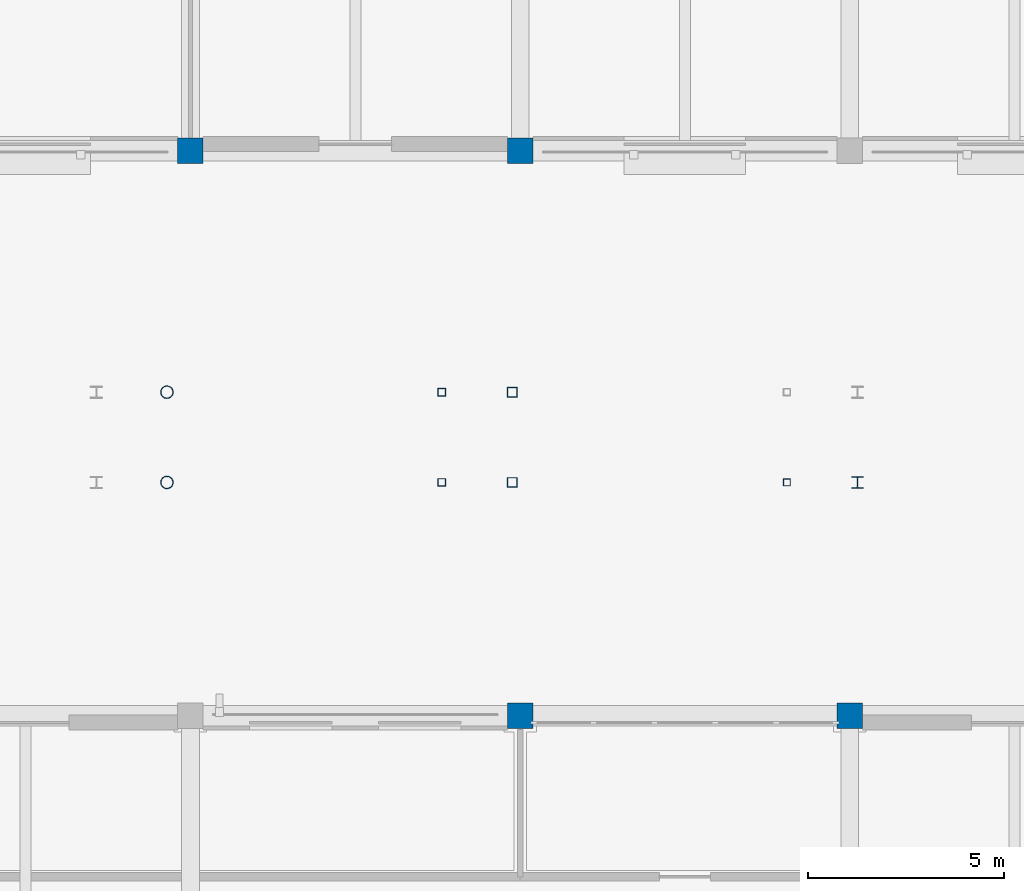
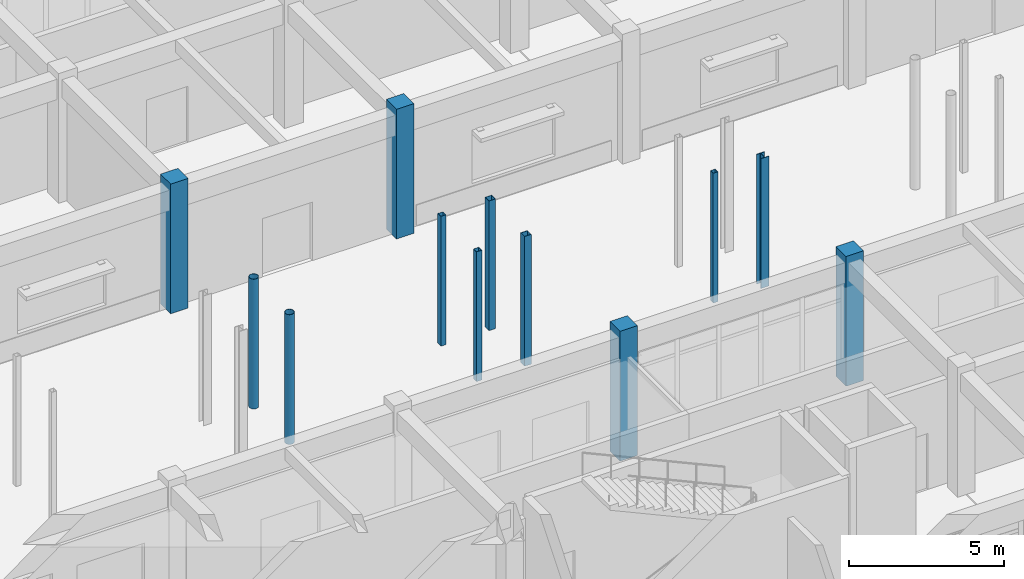
# One storey, part 12 of 121: 12 columns.
"""IFC4 building model written with IfcOpenShell, lengths in metres."""

from ifc_helpers import new_model, si_unit, direction, frame, origin, origin_2d, place, context, subcontext, project, spatial, rectangle, hollow_rectangle, hollow_circle, i_section, extrude, material, material_profile, profile_set, type_object, element, save


model = new_model("IFC4")

# Units and contexts
model_context = context("Model", 3, precision=1e-05, world=origin(), true_north=direction((0.0, 1.0)))
body_context = subcontext(model_context, "Body", "Model", "MODEL_VIEW")
ifc_project = project(units=[si_unit("LENGTHUNIT", "METRE"), si_unit("AREAUNIT", "SQUARE_METRE"), si_unit("VOLUMEUNIT", "CUBIC_METRE"), si_unit("PLANEANGLEUNIT", "RADIAN"), si_unit("MASSUNIT", "GRAM", prefix="KILO")], contexts=[model_context])

# Site, building, storey
site_placement = place(None, origin())
site = spatial("IfcSite", under=ifc_project, at=site_placement, CompositionType="ELEMENT")
building_placement = place(site_placement, origin())
building = spatial("IfcBuilding", under=site, at=building_placement, Name="Malvenik Polytechnic", CompositionType="ELEMENT")
storey_placement = place(building_placement, origin())
storey = spatial("IfcBuildingStorey", under=building, at=storey_placement, Name="L00", CompositionType="ELEMENT", Elevation=0.0)

# Columns
ifc_material_1 = material(Name="Concrete C35/45", Category="concrete")
ifc_material_profile_1 = material_profile(ifc_material_1, rectangle(XDim=0.64990234375, YDim=0.64990234375, at=origin_2d()), Name="RC COL 650x650")
ifc_profile_set_1 = profile_set([ifc_material_profile_1], Name="Concrete C35/45")
column_type_1 = type_object("IfcColumnType", Name="STR-COL-C-05", PredefinedType="COLUMN", material=ifc_profile_set_1)
for number, where, z_axis, x_axis, name in (
    (1, (33.60009765625, 79.199951171875, 0.0), (0.0, 0.0, 1.0), (1.0, 0.0, 0.0), "Column C-05 L00 (33.6,79.2)"),
    (2, (42.0, 64.800048828125, 0.0), (0.0, 0.0, 1.0), (1.0, 0.0, 0.0), "Column C-05 L00 (42.0,64.8)"),
    (3, (42.0, 79.199951171875, 0.0), (0.0, 0.0, 1.0), (1.0, 0.0, 0.0), "Column C-05 L00 (42.0,79.2)"),
    (4, (50.39990234375, 64.800048828125, 0.0), (0.0, 0.0, 1.0), (1.0, 0.0, 0.0), "Column C-05 L00 (50.4,64.8)"),
):
    element("IfcColumn", number, at=place(storey_placement, frame(where, z_axis=z_axis, x_axis=x_axis)), inside=storey, type_object=column_type_1, Name=name, PredefinedType="COLUMN", context=body_context, shape_type="SweptSolid", body=[
        extrude(rectangle(XDim=0.64990234375, YDim=0.64990234375, at=origin_2d()), origin(), (0.0, 0.0, 1.0), 5.10009765625),
    ])
ifc_material_2 = material(Name="Steel S355J2H", Category="steel")
ifc_material_profile_2 = material_profile(ifc_material_2, hollow_rectangle(XDim=0.25, YDim=0.25, WallThickness=0.010009765625, at=origin_2d()), Name="SHS 250x250x10.0")
ifc_profile_set_2 = profile_set([ifc_material_profile_2], Name="Steel S355J2H")
column_type_2 = type_object("IfcColumnType", Name="STR-SCOL-SC-01", PredefinedType="COLUMN", material=ifc_profile_set_2)
for number, where, z_axis, x_axis, name in (
    (5, (41.800048828125, 70.75, 0.0), (0.0, 0.0, 1.0), (1.0, 0.0, 0.0), "Bridge-Ramp Support Column SC-01 L00"),
    (6, (41.800048828125, 73.050048828125, 0.0), (0.0, 0.0, 1.0), (1.0, 0.0, 0.0), "Bridge-Ramp Support Column SC-01 L00"),
):
    element("IfcColumn", number, at=place(storey_placement, frame(where, z_axis=z_axis, x_axis=x_axis)), inside=storey, type_object=column_type_2, Name=name, PredefinedType="COLUMN", context=body_context, shape_type="SweptSolid", body=[
        extrude(hollow_rectangle(XDim=0.25, YDim=0.25, WallThickness=0.010009765625, at=origin_2d()), origin(), (0.0, 0.0, 1.0), 5.10009765625),
    ])
ifc_material_profile_3 = material_profile(ifc_material_2, hollow_rectangle(XDim=0.199951171875, YDim=0.199951171875, WallThickness=0.010009765625, at=origin_2d()), Name="SHS 200x200x10.0")
ifc_profile_set_3 = profile_set([ifc_material_profile_3], Name="Steel S355J2H")
column_type_3 = type_object("IfcColumnType", Name="STR-SCOL-SC-02", PredefinedType="COLUMN", material=ifc_profile_set_3)
for number, where, z_axis, x_axis, name in (
    (7, (40.0, 70.75, 0.0), (0.0, 0.0, 1.0), (1.0, 0.0, 0.0), "Bridge-Ramp Support Column SC-02 L00"),
    (8, (40.0, 73.050048828125, 0.0), (0.0, 0.0, 1.0), (1.0, 0.0, 0.0), "Bridge-Ramp Support Column SC-02 L00"),
):
    element("IfcColumn", number, at=place(storey_placement, frame(where, z_axis=z_axis, x_axis=x_axis)), inside=storey, type_object=column_type_3, Name=name, PredefinedType="COLUMN", context=body_context, shape_type="SweptSolid", body=[
        extrude(hollow_rectangle(XDim=0.199951171875, YDim=0.199951171875, WallThickness=0.010009765625, at=origin_2d()), origin(), (0.0, 0.0, 1.0), 5.10009765625),
    ])
ifc_material_profile_4 = material_profile(ifc_material_2, hollow_circle(Radius=0.161865234375, WallThickness=0.012451171875, at=origin_2d()), Name="CHS 323.9x12.5")
ifc_profile_set_4 = profile_set([ifc_material_profile_4], Name="Steel S355J2H")
column_type_4 = type_object("IfcColumnType", Name="STR-SCOL-SC-04", PredefinedType="COLUMN", material=ifc_profile_set_4)
for number, where, z_axis, x_axis, name in (
    (9, (33.0, 70.75, 0.0), (0.0, 0.0, 1.0), (1.0, 0.0, 0.0), "Bridge-Ramp Support Column SC-04 L00"),
    (10, (33.0, 73.050048828125, 0.0), (0.0, 0.0, 1.0), (1.0, 0.0, 0.0), "Bridge-Ramp Support Column SC-04 L00"),
):
    element("IfcColumn", number, at=place(storey_placement, frame(where, z_axis=z_axis, x_axis=x_axis)), inside=storey, type_object=column_type_4, Name=name, PredefinedType="COLUMN", context=body_context, shape_type="SweptSolid", body=[
        extrude(hollow_circle(Radius=0.161865234375, WallThickness=0.012451171875, at=origin_2d()), origin(), (0.0, 0.0, 1.0), 5.10009765625),
    ])
ifc_material_3 = material(Name="Steel S355", Category="steel")
ifc_material_profile_5 = material_profile(ifc_material_3, i_section(OverallWidth=0.300048828125, OverallDepth=0.300048828125, WebThickness=0.010986328125, FlangeThickness=0.01904296875, FilletRadius=0.027099609375, at=origin_2d()), Name="HEB 300")
ifc_profile_set_5 = profile_set([ifc_material_profile_5], Name="Steel S355")
column_type_5 = type_object("IfcColumnType", Name="STR-SCOL-SC-05", PredefinedType="COLUMN", material=ifc_profile_set_5)
column_1_placement = place(storey_placement, frame((50.60009765625, 70.75, 0.0), z_axis=(0.0, 0.0, 1.0), x_axis=(1.0, 0.0, 0.0)))
element("IfcColumn", 11, at=column_1_placement, inside=storey, type_object=column_type_5, Name="Bridge-Ramp Support Column SC-05 L00", PredefinedType="COLUMN", context=body_context, shape_type="SweptSolid", body=[
    extrude(i_section(OverallWidth=0.300048828125, OverallDepth=0.300048828125, WebThickness=0.010986328125, FlangeThickness=0.01904296875, FilletRadius=0.027099609375, at=origin_2d()), origin(), (0.0, 0.0, 1.0), 5.10009765625),
])
ifc_material_profile_6 = material_profile(ifc_material_2, hollow_rectangle(XDim=0.179931640625, YDim=0.179931640625, WallThickness=0.008056640625, at=origin_2d()), Name="SHS 180x180x8.0")
ifc_profile_set_6 = profile_set([ifc_material_profile_6], Name="Steel S355J2H")
column_type_6 = type_object("IfcColumnType", Name="STR-SCOL-SC-06", PredefinedType="COLUMN", material=ifc_profile_set_6)
column_2_placement = place(storey_placement, frame((48.800048828125, 70.75, 0.0), z_axis=(0.0, 0.0, 1.0), x_axis=(1.0, 0.0, 0.0)))
element("IfcColumn", 12, at=column_2_placement, inside=storey, type_object=column_type_6, Name="Bridge-Ramp Support Column SC-06 L00", PredefinedType="COLUMN", context=body_context, shape_type="SweptSolid", body=[
    extrude(hollow_rectangle(XDim=0.179931640625, YDim=0.179931640625, WallThickness=0.008056640625, at=origin_2d()), origin(), (0.0, 0.0, 1.0), 5.10009765625),
])

save(model, "model.ifc")
